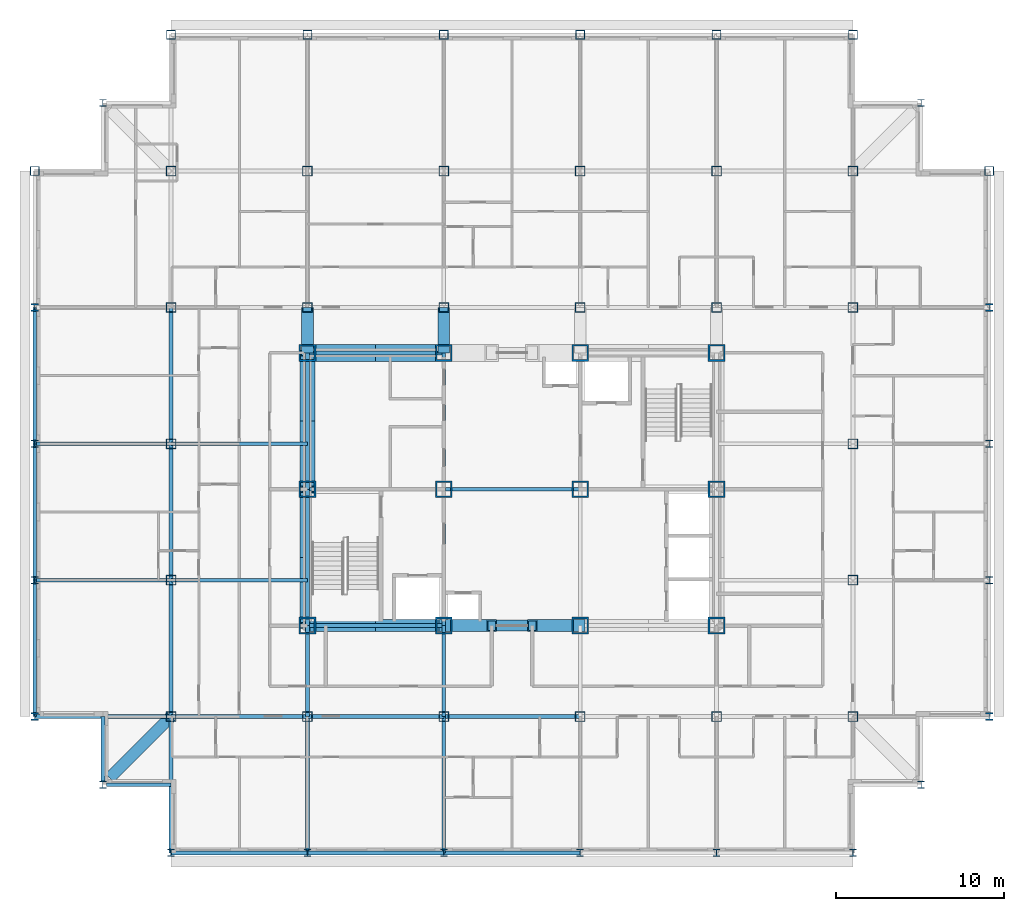
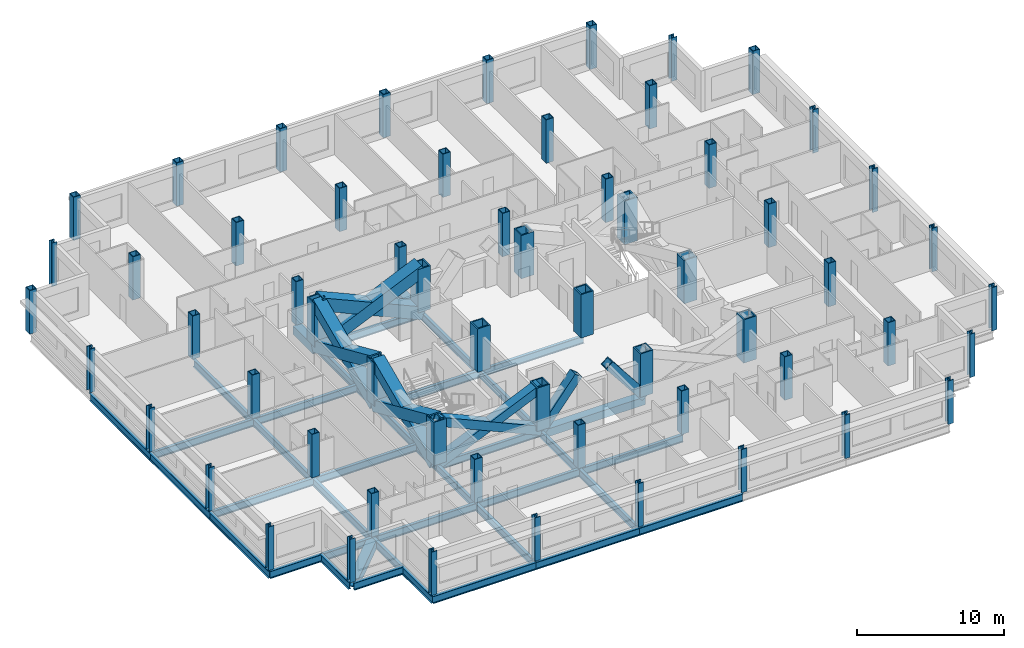
# One storey, part 1 of 12: 60 columns, 36 beams, 10 members.
"""IFC4 building model written with IfcOpenShell, lengths in metres."""

from ifc_helpers import new_model, si_unit, direction, frame, origin, origin_2d, place, context, subcontext, project, spatial, hollow_rectangle, i_section, extrude, material, material_profile, profile_set, type_object, element, save


model = new_model("IFC4")

# Units and contexts
model_context = context("Model", 3, precision=1e-05, world=origin(), true_north=direction((0.0, 1.0)))
body_context = subcontext(model_context, "Body", "Model", "MODEL_VIEW")
ifc_project = project(units=[si_unit("LENGTHUNIT", "METRE"), si_unit("AREAUNIT", "SQUARE_METRE"), si_unit("VOLUMEUNIT", "CUBIC_METRE"), si_unit("PLANEANGLEUNIT", "RADIAN"), si_unit("MASSUNIT", "GRAM", prefix="KILO")], contexts=[model_context])

# Site, building, storey
site_placement = place(None, origin())
site = spatial("IfcSite", under=ifc_project, at=site_placement, CompositionType="ELEMENT")
building_placement = place(site_placement, origin())
building = spatial("IfcBuilding", under=site, at=building_placement, Name="Kopane Lantern Tower", CompositionType="ELEMENT")
storey_placement = place(building_placement, frame((0.0, 0.0, 220.800048828125)))
storey = spatial("IfcBuildingStorey", under=building, at=storey_placement, Name="L57", CompositionType="ELEMENT", Elevation=220.800048828125)

# Columns
ifc_material_1 = material(Name="Steel S355JR", Category="steel")
ifc_material_profile_1 = material_profile(ifc_material_1, hollow_rectangle(XDim=1.0, YDim=1.0, WallThickness=0.10009765625, at=origin_2d()), Name="BOX 1000x1000x100")
ifc_profile_set_1 = profile_set([ifc_material_profile_1], Name="Steel S355JR")
column_type_1 = type_object("IfcColumnType", Name="COLUMN BOX 1000x1000x100", PredefinedType="COLUMN", material=ifc_profile_set_1)
for number, where, z_axis, x_axis, name in (
    (1, (16.199951171875, 24.300048828125, 0.0), (0.0, 0.0, 1.0), (1.0, 0.0, 0.0), "Column 4/E L57"),
    (2, (16.199951171875, 32.39990234375, 0.0), (0.0, 0.0, 1.0), (1.0, 0.0, 0.0), "Column 4/F L57"),
    (3, (16.199951171875, 40.5, 0.0), (0.0, 0.0, 1.0), (1.0, 0.0, 0.0), "Column 4/G L57"),
    (4, (24.300048828125, 24.300048828125, 0.0), (0.0, 0.0, 1.0), (1.0, 0.0, 0.0), "Column 5/E L57"),
    (5, (24.300048828125, 32.39990234375, 0.0), (0.0, 0.0, 1.0), (1.0, 0.0, 0.0), "Column 5/F L57"),
    (6, (24.300048828125, 40.5, 0.0), (0.0, 0.0, 1.0), (1.0, 0.0, 0.0), "Column 5/G L57"),
    (7, (32.39990234375, 24.300048828125, 0.0), (0.0, 0.0, 1.0), (1.0, 0.0, 0.0), "Column 6/E L57"),
    (8, (32.39990234375, 32.39990234375, 0.0), (0.0, 0.0, 1.0), (1.0, 0.0, 0.0), "Column 6/F L57"),
    (9, (32.39990234375, 40.5, 0.0), (0.0, 0.0, 1.0), (1.0, 0.0, 0.0), "Column 6/G L57"),
    (10, (40.5, 24.300048828125, 0.0), (0.0, 0.0, 1.0), (1.0, 0.0, 0.0), "Column 7/E L57"),
    (11, (40.5, 32.39990234375, 0.0), (0.0, 0.0, 1.0), (1.0, 0.0, 0.0), "Column 7/F L57"),
    (12, (40.5, 40.5, 0.0), (0.0, 0.0, 1.0), (1.0, 0.0, 0.0), "Column 7/G L57"),
):
    element("IfcColumn", number, at=place(storey_placement, frame(where, z_axis=z_axis, x_axis=x_axis)), inside=storey, type_object=column_type_1, Name=name, PredefinedType="COLUMN", context=body_context, shape_type="SweptSolid", body=[
        extrude(hollow_rectangle(XDim=1.0, YDim=1.0, WallThickness=0.10009765625, at=origin_2d()), origin(), (0.0, 0.0, 1.0), 3.599853515625),
    ])
ifc_material_2 = material(Name="Steel S355JR", Category="steel")
ifc_material_profile_2 = material_profile(ifc_material_2, hollow_rectangle(XDim=0.550048828125, YDim=0.550048828125, WallThickness=0.044921875, at=origin_2d()), Name="BOX 550x550x45")
ifc_profile_set_2 = profile_set([ifc_material_profile_2], Name="Steel S355JR")
column_type_2 = type_object("IfcColumnType", Name="COLUMN BOX 550x550x45", PredefinedType="COLUMN", material=ifc_profile_set_2)
for number, where, z_axis, x_axis, name in (
    (13, (0.0, 51.300048828125, 0.0), (0.0, 0.0, 1.0), (1.0, 0.0, 0.0), "Column 2/Q6 L57"),
    (14, (8.10009765625, 59.39990234375, 0.0), (0.0, 0.0, 1.0), (1.0, 0.0, 0.0), "Column 3/Q7 L57"),
    (15, (16.199951171875, 59.39990234375, 0.0), (0.0, 0.0, 1.0), (1.0, 0.0, 0.0), "Column 4/Q7 L57"),
    (16, (24.300048828125, 59.39990234375, 0.0), (0.0, 0.0, 1.0), (1.0, 0.0, 0.0), "Column 5/Q7 L57"),
    (17, (32.39990234375, 59.39990234375, 0.0), (0.0, 0.0, 1.0), (1.0, 0.0, 0.0), "Column 6/Q7 L57"),
    (18, (40.5, 59.39990234375, 0.0), (0.0, 0.0, 1.0), (1.0, 0.0, 0.0), "Column 7/Q7 L57"),
    (19, (48.60009765625, 59.39990234375, 0.0), (0.0, 0.0, 1.0), (1.0, 0.0, 0.0), "Column 8/Q7 L57"),
    (20, (56.699951171875, 51.300048828125, 0.0), (0.0, 0.0, 1.0), (1.0, 0.0, 0.0), "Column 9/Q6 L57"),
):
    element("IfcColumn", number, at=place(storey_placement, frame(where, z_axis=z_axis, x_axis=x_axis)), inside=storey, type_object=column_type_2, Name=name, PredefinedType="COLUMN", context=body_context, shape_type="SweptSolid", body=[
        extrude(hollow_rectangle(XDim=0.550048828125, YDim=0.550048828125, WallThickness=0.044921875, at=origin_2d()), origin(), (0.0, 0.0, 1.0), 3.599853515625),
    ])
ifc_material_3 = material(Name="Steel S355JR", Category="steel")
ifc_material_profile_3 = material_profile(ifc_material_3, hollow_rectangle(XDim=0.60009765625, YDim=0.60009765625, WallThickness=0.050048828125, at=origin_2d()), Name="BOX 600x600x50")
ifc_profile_set_3 = profile_set([ifc_material_profile_3], Name="Steel S355JR")
column_type_3 = type_object("IfcColumnType", Name="COLUMN BOX 600x600x50", PredefinedType="COLUMN", material=ifc_profile_set_3)
for number, where, z_axis, x_axis, name in (
    (21, (8.10009765625, 18.89990234375, 0.0), (0.0, 0.0, 1.0), (1.0, 0.0, 0.0), "Column 3/Q2 L57"),
    (22, (8.10009765625, 27.0, 0.0), (0.0, 0.0, 1.0), (1.0, 0.0, 0.0), "Column 3/Q3 L57"),
    (23, (8.10009765625, 35.10009765625, 0.0), (0.0, 0.0, 1.0), (1.0, 0.0, 0.0), "Column 3/Q4 L57"),
    (24, (8.10009765625, 43.199951171875, 0.0), (0.0, 0.0, 1.0), (1.0, 0.0, 0.0), "Column 3/Q5 L57"),
    (25, (8.10009765625, 51.300048828125, 0.0), (0.0, 0.0, 1.0), (1.0, 0.0, 0.0), "Column 3/Q6 L57"),
    (26, (16.199951171875, 18.89990234375, 0.0), (0.0, 0.0, 1.0), (1.0, 0.0, 0.0), "Column 4/Q2 L57"),
    (27, (16.199951171875, 43.199951171875, 0.0), (0.0, 0.0, 1.0), (1.0, 0.0, 0.0), "Column 4/Q5 L57"),
    (28, (16.199951171875, 51.300048828125, 0.0), (0.0, 0.0, 1.0), (1.0, 0.0, 0.0), "Column 4/Q6 L57"),
    (29, (24.300048828125, 18.89990234375, 0.0), (0.0, 0.0, 1.0), (1.0, 0.0, 0.0), "Column 5/Q2 L57"),
    (30, (24.300048828125, 43.199951171875, 0.0), (0.0, 0.0, 1.0), (1.0, 0.0, 0.0), "Column 5/Q5 L57"),
    (31, (24.300048828125, 51.300048828125, 0.0), (0.0, 0.0, 1.0), (1.0, 0.0, 0.0), "Column 5/Q6 L57"),
    (32, (32.39990234375, 18.89990234375, 0.0), (0.0, 0.0, 1.0), (1.0, 0.0, 0.0), "Column 6/Q2 L57"),
    (33, (32.39990234375, 43.199951171875, 0.0), (0.0, 0.0, 1.0), (1.0, 0.0, 0.0), "Column 6/Q5 L57"),
    (34, (32.39990234375, 51.300048828125, 0.0), (0.0, 0.0, 1.0), (1.0, 0.0, 0.0), "Column 6/Q6 L57"),
    (35, (40.5, 18.89990234375, 0.0), (0.0, 0.0, 1.0), (1.0, 0.0, 0.0), "Column 7/Q2 L57"),
    (36, (40.5, 43.199951171875, 0.0), (0.0, 0.0, 1.0), (1.0, 0.0, 0.0), "Column 7/Q5 L57"),
    (37, (40.5, 51.300048828125, 0.0), (0.0, 0.0, 1.0), (1.0, 0.0, 0.0), "Column 7/Q6 L57"),
    (38, (48.60009765625, 18.89990234375, 0.0), (0.0, 0.0, 1.0), (1.0, 0.0, 0.0), "Column 8/Q2 L57"),
    (39, (48.60009765625, 27.0, 0.0), (0.0, 0.0, 1.0), (1.0, 0.0, 0.0), "Column 8/Q3 L57"),
    (40, (48.60009765625, 35.10009765625, 0.0), (0.0, 0.0, 1.0), (1.0, 0.0, 0.0), "Column 8/Q4 L57"),
    (41, (48.60009765625, 43.199951171875, 0.0), (0.0, 0.0, 1.0), (1.0, 0.0, 0.0), "Column 8/Q5 L57"),
    (42, (48.60009765625, 51.300048828125, 0.0), (0.0, 0.0, 1.0), (1.0, 0.0, 0.0), "Column 8/Q6 L57"),
):
    element("IfcColumn", number, at=place(storey_placement, frame(where, z_axis=z_axis, x_axis=x_axis)), inside=storey, type_object=column_type_3, Name=name, PredefinedType="COLUMN", context=body_context, shape_type="SweptSolid", body=[
        extrude(hollow_rectangle(XDim=0.60009765625, YDim=0.60009765625, WallThickness=0.050048828125, at=origin_2d()), origin(), (0.0, 0.0, 1.0), 3.599853515625),
    ])
ifc_material_4 = material(Name="Steel S355JR", Category="steel")
ifc_material_profile_4 = material_profile(ifc_material_4, i_section(OverallWidth=0.406982421875, OverallDepth=0.4189453125, WebThickness=0.030517578125, FlangeThickness=0.04931640625, FilletRadius=0.01513671875, at=origin_2d()), Name="UC 356x406x393")
ifc_profile_set_4 = profile_set([ifc_material_profile_4], Name="Steel S355JR")
column_type_4 = type_object("IfcColumnType", Name="COLUMN UC 356x406x393", PredefinedType="COLUMN", material=ifc_profile_set_4)
for number, where, z_axis, x_axis, name in (
    (43, (4.050048828125, 14.85009765625, 0.0), (0.0, 0.0, 1.0), (1.0, 0.0, 0.0), "Column 4.05/14.85 L57"),
    (44, (4.050048828125, 55.35009765625, 0.0), (0.0, 0.0, 1.0), (1.0, 0.0, 0.0), "Column 4.05/55.35 L57"),
    (45, (52.64990234375, 14.85009765625, 0.0), (0.0, 0.0, 1.0), (1.0, 0.0, 0.0), "Column 52.65/14.85 L57"),
    (46, (52.64990234375, 55.35009765625, 0.0), (0.0, 0.0, 1.0), (1.0, 0.0, 0.0), "Column 52.65/55.35 L57"),
):
    element("IfcColumn", number, at=place(storey_placement, frame(where, z_axis=z_axis, x_axis=x_axis)), inside=storey, type_object=column_type_4, Name=name, PredefinedType="COLUMN", context=body_context, shape_type="SweptSolid", body=[
        extrude(i_section(OverallWidth=0.406982421875, OverallDepth=0.4189453125, WebThickness=0.030517578125, FlangeThickness=0.04931640625, FilletRadius=0.01513671875, at=origin_2d()), origin(), (0.0, 0.0, 1.0), 3.599853515625),
    ])
ifc_material_5 = material(Name="Steel S355JR", Category="steel")
ifc_material_profile_5 = material_profile(ifc_material_5, i_section(OverallWidth=0.41845703125, OverallDepth=0.45556640625, WebThickness=0.0419921875, FlangeThickness=0.0673828125, FilletRadius=0.01513671875, at=origin_2d()), Name="UC 356x406x551")
ifc_profile_set_5 = profile_set([ifc_material_profile_5], Name="Steel S355JR")
column_type_5 = type_object("IfcColumnType", Name="COLUMN UC 356x406x551", PredefinedType="COLUMN", material=ifc_profile_set_5)
for number, where, z_axis, x_axis, name in (
    (47, (0.0, 18.89990234375, 0.0), (0.0, 0.0, 1.0), (1.0, 0.0, 0.0), "Column 2/Q2 L57"),
    (48, (0.0, 27.0, 0.0), (0.0, 0.0, 1.0), (1.0, 0.0, 0.0), "Column 2/Q3 L57"),
    (49, (0.0, 35.10009765625, 0.0), (0.0, 0.0, 1.0), (1.0, 0.0, 0.0), "Column 2/Q4 L57"),
    (50, (0.0, 43.199951171875, 0.0), (0.0, 0.0, 1.0), (1.0, 0.0, 0.0), "Column 2/Q5 L57"),
    (51, (8.10009765625, 10.800048828125, 0.0), (0.0, 0.0, 1.0), (1.0, 0.0, 0.0), "Column 3/Q1 L57"),
    (52, (16.199951171875, 10.800048828125, 0.0), (0.0, 0.0, 1.0), (1.0, 0.0, 0.0), "Column 4/Q1 L57"),
    (53, (24.300048828125, 10.800048828125, 0.0), (0.0, 0.0, 1.0), (1.0, 0.0, 0.0), "Column 5/Q1 L57"),
    (54, (32.39990234375, 10.800048828125, 0.0), (0.0, 0.0, 1.0), (1.0, 0.0, 0.0), "Column 6/Q1 L57"),
    (55, (40.5, 10.800048828125, 0.0), (0.0, 0.0, 1.0), (1.0, 0.0, 0.0), "Column 7/Q1 L57"),
    (56, (48.60009765625, 10.800048828125, 0.0), (0.0, 0.0, 1.0), (1.0, 0.0, 0.0), "Column 8/Q1 L57"),
    (57, (56.699951171875, 18.89990234375, 0.0), (0.0, 0.0, 1.0), (1.0, 0.0, 0.0), "Column 9/Q2 L57"),
    (58, (56.699951171875, 27.0, 0.0), (0.0, 0.0, 1.0), (1.0, 0.0, 0.0), "Column 9/Q3 L57"),
    (59, (56.699951171875, 35.10009765625, 0.0), (0.0, 0.0, 1.0), (1.0, 0.0, 0.0), "Column 9/Q4 L57"),
    (60, (56.699951171875, 43.199951171875, 0.0), (0.0, 0.0, 1.0), (1.0, 0.0, 0.0), "Column 9/Q5 L57"),
):
    element("IfcColumn", number, at=place(storey_placement, frame(where, z_axis=z_axis, x_axis=x_axis)), inside=storey, type_object=column_type_5, Name=name, PredefinedType="COLUMN", context=body_context, shape_type="SweptSolid", body=[
        extrude(i_section(OverallWidth=0.41845703125, OverallDepth=0.45556640625, WebThickness=0.0419921875, FlangeThickness=0.0673828125, FilletRadius=0.01513671875, at=origin_2d()), origin(), (0.0, 0.0, 1.0), 3.599853515625),
    ])

# Members
ifc_material_6 = material(Name="Steel S355JR", Category="steel")
ifc_material_profile_6 = material_profile(ifc_material_6, hollow_rectangle(XDim=1.0, YDim=1.0, WallThickness=0.10009765625, at=origin_2d()), Name="BOX 1000x1000x100")
ifc_profile_set_6 = profile_set([ifc_material_profile_6], Name="Steel S355JR")
member_type_1 = type_object("IfcMemberType", Name="BRACE BOX 1000x1000x100", PredefinedType="BRACE", material=ifc_profile_set_6)
for number, where, z_axis, x_axis, name in (
    (61, (16.199951171875, 40.5, -0.2099609375), (0.913819498983, 0.0, 0.406120577265), (0.0, 1.0, 0.0), "Core brace L57"),
    (62, (24.300048828125, 40.5, -0.2099609375), (-0.913819498983, 0.0, 0.406120577265), (0.0, -1.0, 0.0), "Core brace L57"),
):
    element("IfcMember", number, at=place(storey_placement, frame(where, z_axis=z_axis, x_axis=x_axis)), inside=storey, type_object=member_type_1, Name=name, PredefinedType="BRACE", context=body_context, shape_type="SweptSolid", body=[
        extrude(hollow_rectangle(XDim=1.0, YDim=1.0, WallThickness=0.10009765625, at=origin_2d()), origin(), (0.0, 0.0, 1.0), 8.864013671875),
    ])
ifc_material_7 = material(Name="Steel S355JR", Category="steel")
ifc_material_profile_7 = material_profile(ifc_material_7, hollow_rectangle(XDim=0.699951171875, YDim=0.699951171875, WallThickness=0.06005859375, at=origin_2d()), Name="BOX 700x700x60")
ifc_profile_set_7 = profile_set([ifc_material_profile_7], Name="Steel S355JR")
member_type_2 = type_object("IfcMemberType", Name="BRACE BOX 700x700x60", PredefinedType="BRACE", material=ifc_profile_set_7)
for number, where, z_axis, x_axis, name in (
    (63, (16.199951171875, 24.300048828125, -0.2099609375), (0.913819498983, 0.0, 0.406120577265), (0.0, 1.0, 0.0), "Core brace L57"),
    (64, (24.300048828125, 24.300048828125, -0.2099609375), (-0.913819498983, 0.0, 0.406120577265), (0.0, -1.0, 0.0), "Core brace L57"),
):
    element("IfcMember", number, at=place(storey_placement, frame(where, z_axis=z_axis, x_axis=x_axis)), inside=storey, type_object=member_type_2, Name=name, PredefinedType="BRACE", context=body_context, shape_type="SweptSolid", body=[
        extrude(hollow_rectangle(XDim=0.699951171875, YDim=0.699951171875, WallThickness=0.06005859375, at=origin_2d()), origin(), (0.0, 0.0, 1.0), 8.864013671875),
    ])
for number, where, z_axis, x_axis, name in (
    (65, (24.300048828125, 24.300048828125, -0.2099609375), (0.620698858423, 0.0, 0.784049059149), (0.0, 1.0, 0.0), "Core brace L57"),
    (66, (32.39990234375, 24.300048828125, -0.2099609375), (-0.620698858423, 0.0, 0.784049059149), (0.0, -1.0, 0.0), "Core brace L57"),
):
    element("IfcMember", number, at=place(storey_placement, frame(where, z_axis=z_axis, x_axis=x_axis)), inside=storey, type_object=member_type_2, Name=name, PredefinedType="BRACE", context=body_context, shape_type="SweptSolid", body=[
        extrude(hollow_rectangle(XDim=0.699951171875, YDim=0.699951171875, WallThickness=0.06005859375, at=origin_2d()), origin(), (0.0, 0.0, 1.0), 4.59130859375),
    ])
ifc_material_8 = material(Name="Steel S355JR", Category="steel")
ifc_material_profile_8 = material_profile(ifc_material_8, hollow_rectangle(XDim=0.89990234375, YDim=0.89990234375, WallThickness=0.090087890625, at=origin_2d()), Name="BOX 900x900x90")
ifc_profile_set_8 = profile_set([ifc_material_profile_8], Name="Steel S355JR")
member_type_3 = type_object("IfcMemberType", Name="BRACE BOX 900x900x90", PredefinedType="BRACE", material=ifc_profile_set_8)
for number, where, z_axis, x_axis, name in (
    (67, (16.199951171875, 24.300048828125, -0.2099609375), (0.0, 0.913814956047, 0.406130799256), (-1.0, 0.0, 0.0), "Core brace L57"),
    (68, (16.199951171875, 32.39990234375, -0.2099609375), (0.0, -0.913814956047, 0.406130799256), (1.0, 0.0, 0.0), "Core brace L57"),
):
    element("IfcMember", number, at=place(storey_placement, frame(where, z_axis=z_axis, x_axis=x_axis)), inside=storey, type_object=member_type_3, Name=name, PredefinedType="BRACE", context=body_context, shape_type="SweptSolid", body=[
        extrude(hollow_rectangle(XDim=0.89990234375, YDim=0.89990234375, WallThickness=0.090087890625, at=origin_2d()), origin(), (0.0, 0.0, 1.0), 8.86376953125),
    ])
for number, where, z_axis, x_axis, name in (
    (69, (16.199951171875, 32.39990234375, -0.2099609375), (0.0, 0.913819498983, 0.406120577265), (-1.0, 0.0, 0.0), "Core brace L57"),
    (70, (16.199951171875, 40.5, -0.2099609375), (0.0, -0.913819498983, 0.406120577265), (1.0, 0.0, 0.0), "Core brace L57"),
):
    element("IfcMember", number, at=place(storey_placement, frame(where, z_axis=z_axis, x_axis=x_axis)), inside=storey, type_object=member_type_3, Name=name, PredefinedType="BRACE", context=body_context, shape_type="SweptSolid", body=[
        extrude(hollow_rectangle(XDim=0.89990234375, YDim=0.89990234375, WallThickness=0.090087890625, at=origin_2d()), origin(), (0.0, 0.0, 1.0), 8.864013671875),
    ])

# Beams
ifc_material_9 = material(Name="Steel S355JR", Category="steel")
ifc_material_profile_9 = material_profile(ifc_material_9, i_section(OverallWidth=0.22900390625, OverallDepth=0.6123046875, WebThickness=0.011962890625, FlangeThickness=0.01953125, FilletRadius=0.0126953125, at=origin_2d()), Name="UB 610x229x125")
ifc_profile_set_9 = profile_set([ifc_material_profile_9], Name="Steel S355JR")
beam_type_1 = type_object("IfcBeamType", Name="CORE BEAM UB 610x229x125", PredefinedType="BEAM", material=ifc_profile_set_9)
beam_1_placement = place(storey_placement, frame((16.199951171875, 32.39990234375, -0.51611328125), z_axis=(1.0, 0.0, 0.0), x_axis=(0.0, 1.0, 0.0)))
element("IfcBeam", 71, at=beam_1_placement, inside=storey, type_object=beam_type_1, Name="Core Beam L57", PredefinedType="BEAM", context=body_context, shape_type="SweptSolid", body=[
    extrude(i_section(OverallWidth=0.22900390625, OverallDepth=0.6123046875, WebThickness=0.011962890625, FlangeThickness=0.01953125, FilletRadius=0.0126953125, at=origin_2d()), origin(), (0.0, 0.0, 1.0), 8.10009765625),
])
beam_2_placement = place(storey_placement, frame((24.300048828125, 24.300048828125, -0.51611328125), z_axis=(0.0, 1.0, 0.0), x_axis=(-1.0, 0.0, 0.0)))
element("IfcBeam", 72, at=beam_2_placement, inside=storey, type_object=beam_type_1, Name="Core Beam L57", PredefinedType="BEAM", context=body_context, shape_type="SweptSolid", body=[
    extrude(i_section(OverallWidth=0.22900390625, OverallDepth=0.6123046875, WebThickness=0.011962890625, FlangeThickness=0.01953125, FilletRadius=0.0126953125, at=origin_2d()), origin(), (0.0, 0.0, 1.0), 8.099853515625),
])
beam_3_placement = place(storey_placement, frame((24.300048828125, 32.39990234375, -0.51611328125), z_axis=(0.0, 1.0, 0.0), x_axis=(-1.0, 0.0, 0.0)))
element("IfcBeam", 73, at=beam_3_placement, inside=storey, type_object=beam_type_1, Name="Core Beam L57", PredefinedType="BEAM", context=body_context, shape_type="SweptSolid", body=[
    extrude(i_section(OverallWidth=0.22900390625, OverallDepth=0.6123046875, WebThickness=0.011962890625, FlangeThickness=0.01953125, FilletRadius=0.0126953125, at=origin_2d()), origin(), (0.0, 0.0, 1.0), 8.10009765625),
])
beam_4_placement = place(storey_placement, frame((24.300048828125, 32.39990234375, -0.51611328125), z_axis=(1.0, 0.0, 0.0), x_axis=(0.0, 1.0, 0.0)))
element("IfcBeam", 74, at=beam_4_placement, inside=storey, type_object=beam_type_1, Name="Core Beam L57", PredefinedType="BEAM", context=body_context, shape_type="SweptSolid", body=[
    extrude(i_section(OverallWidth=0.22900390625, OverallDepth=0.6123046875, WebThickness=0.011962890625, FlangeThickness=0.01953125, FilletRadius=0.0126953125, at=origin_2d()), origin(), (0.0, 0.0, 1.0), 8.099853515625),
])
ifc_material_10 = material(Name="Steel S355JR", Category="steel")
ifc_material_profile_10 = material_profile(ifc_material_10, hollow_rectangle(XDim=0.699951171875, YDim=0.699951171875, WallThickness=0.06005859375, at=origin_2d()), Name="BOX 700x700x60")
ifc_profile_set_10 = profile_set([ifc_material_profile_10], Name="Steel S355JR")
beam_type_2 = type_object("IfcBeamType", Name="CORNER TIE BEAM BOX 700x700x60", PredefinedType="BEAM", material=ifc_profile_set_10)
beam_5_placement = place(storey_placement, frame((4.447509765625, 15.24755859375, -0.56005859375), z_axis=(0.70713041325, 0.707083148333, 0.0), x_axis=(-0.707083148333, 0.70713041325, 0.0)))
element("IfcBeam", 75, at=beam_5_placement, inside=storey, type_object=beam_type_2, Name="Corner Tie Beam L57", PredefinedType="BEAM", context=body_context, shape_type="SweptSolid", body=[
    extrude(hollow_rectangle(XDim=0.699951171875, YDim=0.699951171875, WallThickness=0.06005859375, at=origin_2d()), origin(), (0.0, 0.0, 1.0), 5.165283203125),
])
ifc_material_11 = material(Name="Steel S355JR", Category="steel")
ifc_material_profile_11 = material_profile(ifc_material_11, i_section(OverallWidth=0.22900390625, OverallDepth=0.6123046875, WebThickness=0.011962890625, FlangeThickness=0.01953125, FilletRadius=0.0126953125, at=origin_2d()), Name="UB 610x229x125")
ifc_profile_set_11 = profile_set([ifc_material_profile_11], Name="Steel S355JR")
beam_type_3 = type_object("IfcBeamType", Name="EDGE BEAM UB 610x229x125", PredefinedType="BEAM", material=ifc_profile_set_11)
beam_6_placement = place(storey_placement, frame((4.050048828125, 15.053466796875, -0.51611328125), z_axis=(0.0, 1.0, 0.0), x_axis=(-1.0, 0.0, 0.0)))
element("IfcBeam", 76, at=beam_6_placement, inside=storey, type_object=beam_type_3, Name="Edge Beam L57", PredefinedType="BEAM", context=body_context, shape_type="SweptSolid", body=[
    extrude(i_section(OverallWidth=0.22900390625, OverallDepth=0.6123046875, WebThickness=0.011962890625, FlangeThickness=0.01953125, FilletRadius=0.0126953125, at=origin_2d()), origin(), (0.0, 0.0, 1.0), 3.846435546875),
])
beam_7_placement = place(storey_placement, frame((4.25341796875, 14.85009765625, -0.51611328125), z_axis=(1.0, 0.0, 0.0), x_axis=(0.0, 1.0, 0.0)))
element("IfcBeam", 77, at=beam_7_placement, inside=storey, type_object=beam_type_3, Name="Edge Beam L57", PredefinedType="BEAM", context=body_context, shape_type="SweptSolid", body=[
    extrude(i_section(OverallWidth=0.22900390625, OverallDepth=0.6123046875, WebThickness=0.011962890625, FlangeThickness=0.01953125, FilletRadius=0.0126953125, at=origin_2d()), origin(), (0.0, 0.0, 1.0), 3.8466796875),
])
ifc_material_12 = material(Name="Steel S355JR", Category="steel")
ifc_material_profile_12 = material_profile(ifc_material_12, hollow_rectangle(XDim=0.699951171875, YDim=0.699951171875, WallThickness=0.06005859375, at=origin_2d()), Name="BOX 700x700x60")
ifc_profile_set_12 = profile_set([ifc_material_profile_12], Name="Steel S355JR")
beam_type_4 = type_object("IfcBeamType", Name="GIRDER BOX 700x700x60", PredefinedType="BEAM", material=ifc_profile_set_12)
for number, where, z_axis, x_axis, name in (
    (78, (16.199951171875, 40.5, -0.56005859375), (0.0, 1.0, 0.0), (-1.0, 0.0, 0.0), "Girder L57"),
    (79, (24.300048828125, 40.5, -0.56005859375), (0.0, 1.0, 0.0), (-1.0, 0.0, 0.0), "Girder L57"),
):
    element("IfcBeam", number, at=place(storey_placement, frame(where, z_axis=z_axis, x_axis=x_axis)), inside=storey, type_object=beam_type_4, Name=name, PredefinedType="BEAM", context=body_context, shape_type="SweptSolid", body=[
        extrude(hollow_rectangle(XDim=0.699951171875, YDim=0.699951171875, WallThickness=0.06005859375, at=origin_2d()), origin(), (0.0, 0.0, 1.0), 2.699951171875),
    ])
ifc_material_13 = material(Name="Steel S355JR", Category="steel")
ifc_material_profile_13 = material_profile(ifc_material_13, i_section(OverallWidth=0.22900390625, OverallDepth=0.6123046875, WebThickness=0.011962890625, FlangeThickness=0.01953125, FilletRadius=0.0126953125, at=origin_2d()), Name="UB 610x229x125")
ifc_profile_set_13 = profile_set([ifc_material_profile_13], Name="Steel S355JR")
beam_type_5 = type_object("IfcBeamType", Name="GIRDER UB 610x229x125", PredefinedType="BEAM", material=ifc_profile_set_13)
for number, where, z_axis, x_axis, name in (
    (80, (0.0, 18.89990234375, -0.51611328125), (0.0, 1.0, 0.0), (-1.0, 0.0, 0.0), "Girder L57"),
    (81, (0.0, 18.89990234375, -0.51611328125), (1.0, 0.0, 0.0), (0.0, 1.0, 0.0), "Girder L57"),
    (82, (0.0, 27.0, -0.51611328125), (0.0, 1.0, 0.0), (-1.0, 0.0, 0.0), "Girder L57"),
    (83, (0.0, 27.0, -0.51611328125), (1.0, 0.0, 0.0), (0.0, 1.0, 0.0), "Girder L57"),
):
    element("IfcBeam", number, at=place(storey_placement, frame(where, z_axis=z_axis, x_axis=x_axis)), inside=storey, type_object=beam_type_5, Name=name, PredefinedType="BEAM", context=body_context, shape_type="SweptSolid", body=[
        extrude(i_section(OverallWidth=0.22900390625, OverallDepth=0.6123046875, WebThickness=0.011962890625, FlangeThickness=0.01953125, FilletRadius=0.0126953125, at=origin_2d()), origin(), (0.0, 0.0, 1.0), 8.10009765625),
    ])
beam_8_placement = place(storey_placement, frame((0.0, 35.10009765625, -0.51611328125), z_axis=(0.0, 1.0, 0.0), x_axis=(-1.0, 0.0, 0.0)))
element("IfcBeam", 84, at=beam_8_placement, inside=storey, type_object=beam_type_5, Name="Girder L57", PredefinedType="BEAM", context=body_context, shape_type="SweptSolid", body=[
    extrude(i_section(OverallWidth=0.22900390625, OverallDepth=0.6123046875, WebThickness=0.011962890625, FlangeThickness=0.01953125, FilletRadius=0.0126953125, at=origin_2d()), origin(), (0.0, 0.0, 1.0), 8.099853515625),
])
beam_9_placement = place(storey_placement, frame((0.0, 35.10009765625, -0.51611328125), z_axis=(1.0, 0.0, 0.0), x_axis=(0.0, 1.0, 0.0)))
element("IfcBeam", 85, at=beam_9_placement, inside=storey, type_object=beam_type_5, Name="Girder L57", PredefinedType="BEAM", context=body_context, shape_type="SweptSolid", body=[
    extrude(i_section(OverallWidth=0.22900390625, OverallDepth=0.6123046875, WebThickness=0.011962890625, FlangeThickness=0.01953125, FilletRadius=0.0126953125, at=origin_2d()), origin(), (0.0, 0.0, 1.0), 8.10009765625),
])
for number, where, z_axis, x_axis, name in (
    (86, (8.10009765625, 10.800048828125, -0.51611328125), (0.0, 1.0, 0.0), (-1.0, 0.0, 0.0), "Girder L57"),
    (87, (8.10009765625, 10.800048828125, -0.51611328125), (1.0, 0.0, 0.0), (0.0, 1.0, 0.0), "Girder L57"),
):
    element("IfcBeam", number, at=place(storey_placement, frame(where, z_axis=z_axis, x_axis=x_axis)), inside=storey, type_object=beam_type_5, Name=name, PredefinedType="BEAM", context=body_context, shape_type="SweptSolid", body=[
        extrude(i_section(OverallWidth=0.22900390625, OverallDepth=0.6123046875, WebThickness=0.011962890625, FlangeThickness=0.01953125, FilletRadius=0.0126953125, at=origin_2d()), origin(), (0.0, 0.0, 1.0), 8.099853515625),
    ])
beam_10_placement = place(storey_placement, frame((8.10009765625, 18.89990234375, -0.51611328125), z_axis=(0.0, 1.0, 0.0), x_axis=(-1.0, 0.0, 0.0)))
element("IfcBeam", 88, at=beam_10_placement, inside=storey, type_object=beam_type_5, Name="Girder L57", PredefinedType="BEAM", context=body_context, shape_type="SweptSolid", body=[
    extrude(i_section(OverallWidth=0.22900390625, OverallDepth=0.6123046875, WebThickness=0.011962890625, FlangeThickness=0.01953125, FilletRadius=0.0126953125, at=origin_2d()), origin(), (0.0, 0.0, 1.0), 8.10009765625),
])
beam_11_placement = place(storey_placement, frame((8.10009765625, 18.89990234375, -0.51611328125), z_axis=(1.0, 0.0, 0.0), x_axis=(0.0, 1.0, 0.0)))
element("IfcBeam", 89, at=beam_11_placement, inside=storey, type_object=beam_type_5, Name="Girder L57", PredefinedType="BEAM", context=body_context, shape_type="SweptSolid", body=[
    extrude(i_section(OverallWidth=0.22900390625, OverallDepth=0.6123046875, WebThickness=0.011962890625, FlangeThickness=0.01953125, FilletRadius=0.0126953125, at=origin_2d()), origin(), (0.0, 0.0, 1.0), 8.099853515625),
])
beam_12_placement = place(storey_placement, frame((8.10009765625, 27.0, -0.51611328125), z_axis=(0.0, 1.0, 0.0), x_axis=(-1.0, 0.0, 0.0)))
element("IfcBeam", 90, at=beam_12_placement, inside=storey, type_object=beam_type_5, Name="Girder L57", PredefinedType="BEAM", context=body_context, shape_type="SweptSolid", body=[
    extrude(i_section(OverallWidth=0.22900390625, OverallDepth=0.6123046875, WebThickness=0.011962890625, FlangeThickness=0.01953125, FilletRadius=0.0126953125, at=origin_2d()), origin(), (0.0, 0.0, 1.0), 8.10009765625),
])
for number, where, z_axis, x_axis, name in (
    (91, (8.10009765625, 27.0, -0.51611328125), (1.0, 0.0, 0.0), (0.0, 1.0, 0.0), "Girder L57"),
    (92, (8.10009765625, 35.10009765625, -0.51611328125), (0.0, 1.0, 0.0), (-1.0, 0.0, 0.0), "Girder L57"),
    (93, (8.10009765625, 35.10009765625, -0.51611328125), (1.0, 0.0, 0.0), (0.0, 1.0, 0.0), "Girder L57"),
    (94, (16.199951171875, 10.800048828125, -0.51611328125), (0.0, 1.0, 0.0), (-1.0, 0.0, 0.0), "Girder L57"),
):
    element("IfcBeam", number, at=place(storey_placement, frame(where, z_axis=z_axis, x_axis=x_axis)), inside=storey, type_object=beam_type_5, Name=name, PredefinedType="BEAM", context=body_context, shape_type="SweptSolid", body=[
        extrude(i_section(OverallWidth=0.22900390625, OverallDepth=0.6123046875, WebThickness=0.011962890625, FlangeThickness=0.01953125, FilletRadius=0.0126953125, at=origin_2d()), origin(), (0.0, 0.0, 1.0), 8.099853515625),
    ])
beam_13_placement = place(storey_placement, frame((16.199951171875, 10.800048828125, -0.51611328125), z_axis=(1.0, 0.0, 0.0), x_axis=(0.0, 1.0, 0.0)))
element("IfcBeam", 95, at=beam_13_placement, inside=storey, type_object=beam_type_5, Name="Girder L57", PredefinedType="BEAM", context=body_context, shape_type="SweptSolid", body=[
    extrude(i_section(OverallWidth=0.22900390625, OverallDepth=0.6123046875, WebThickness=0.011962890625, FlangeThickness=0.01953125, FilletRadius=0.0126953125, at=origin_2d()), origin(), (0.0, 0.0, 1.0), 8.10009765625),
])
beam_14_placement = place(storey_placement, frame((16.199951171875, 18.89990234375, -0.51611328125), z_axis=(0.0, 1.0, 0.0), x_axis=(-1.0, 0.0, 0.0)))
element("IfcBeam", 96, at=beam_14_placement, inside=storey, type_object=beam_type_5, Name="Girder L57", PredefinedType="BEAM", context=body_context, shape_type="SweptSolid", body=[
    extrude(i_section(OverallWidth=0.22900390625, OverallDepth=0.6123046875, WebThickness=0.011962890625, FlangeThickness=0.01953125, FilletRadius=0.0126953125, at=origin_2d()), origin(), (0.0, 0.0, 1.0), 5.400146484375),
])
beam_15_placement = place(storey_placement, frame((16.199951171875, 18.89990234375, -0.51611328125), z_axis=(1.0, 0.0, 0.0), x_axis=(0.0, 1.0, 0.0)))
element("IfcBeam", 97, at=beam_15_placement, inside=storey, type_object=beam_type_5, Name="Girder L57", PredefinedType="BEAM", context=body_context, shape_type="SweptSolid", body=[
    extrude(i_section(OverallWidth=0.22900390625, OverallDepth=0.6123046875, WebThickness=0.011962890625, FlangeThickness=0.01953125, FilletRadius=0.0126953125, at=origin_2d()), origin(), (0.0, 0.0, 1.0), 8.10009765625),
])
beam_16_placement = place(storey_placement, frame((16.199951171875, 24.300048828125, -0.51611328125), z_axis=(0.0, 1.0, 0.0), x_axis=(-1.0, 0.0, 0.0)))
element("IfcBeam", 98, at=beam_16_placement, inside=storey, type_object=beam_type_5, Name="Girder L57", PredefinedType="BEAM", context=body_context, shape_type="SweptSolid", body=[
    extrude(i_section(OverallWidth=0.22900390625, OverallDepth=0.6123046875, WebThickness=0.011962890625, FlangeThickness=0.01953125, FilletRadius=0.0126953125, at=origin_2d()), origin(), (0.0, 0.0, 1.0), 8.099853515625),
])
for number, where, z_axis, x_axis, name in (
    (99, (16.199951171875, 24.300048828125, -0.51611328125), (1.0, 0.0, 0.0), (0.0, 1.0, 0.0), "Girder L57"),
    (100, (16.199951171875, 32.39990234375, -0.51611328125), (0.0, 1.0, 0.0), (-1.0, 0.0, 0.0), "Girder L57"),
    (101, (16.199951171875, 40.5, -0.51611328125), (1.0, 0.0, 0.0), (0.0, 1.0, 0.0), "Girder L57"),
):
    element("IfcBeam", number, at=place(storey_placement, frame(where, z_axis=z_axis, x_axis=x_axis)), inside=storey, type_object=beam_type_5, Name=name, PredefinedType="BEAM", context=body_context, shape_type="SweptSolid", body=[
        extrude(i_section(OverallWidth=0.22900390625, OverallDepth=0.6123046875, WebThickness=0.011962890625, FlangeThickness=0.01953125, FilletRadius=0.0126953125, at=origin_2d()), origin(), (0.0, 0.0, 1.0), 8.10009765625),
    ])
for number, where, z_axis, x_axis, name in (
    (102, (24.300048828125, 10.800048828125, -0.51611328125), (0.0, 1.0, 0.0), (-1.0, 0.0, 0.0), "Girder L57"),
    (103, (24.300048828125, 10.800048828125, -0.51611328125), (1.0, 0.0, 0.0), (0.0, 1.0, 0.0), "Girder L57"),
):
    element("IfcBeam", number, at=place(storey_placement, frame(where, z_axis=z_axis, x_axis=x_axis)), inside=storey, type_object=beam_type_5, Name=name, PredefinedType="BEAM", context=body_context, shape_type="SweptSolid", body=[
        extrude(i_section(OverallWidth=0.22900390625, OverallDepth=0.6123046875, WebThickness=0.011962890625, FlangeThickness=0.01953125, FilletRadius=0.0126953125, at=origin_2d()), origin(), (0.0, 0.0, 1.0), 8.099853515625),
    ])
beam_17_placement = place(storey_placement, frame((24.300048828125, 18.89990234375, -0.51611328125), z_axis=(0.0, 1.0, 0.0), x_axis=(-1.0, 0.0, 0.0)))
element("IfcBeam", 104, at=beam_17_placement, inside=storey, type_object=beam_type_5, Name="Girder L57", PredefinedType="BEAM", context=body_context, shape_type="SweptSolid", body=[
    extrude(i_section(OverallWidth=0.22900390625, OverallDepth=0.6123046875, WebThickness=0.011962890625, FlangeThickness=0.01953125, FilletRadius=0.0126953125, at=origin_2d()), origin(), (0.0, 0.0, 1.0), 5.400146484375),
])
beam_18_placement = place(storey_placement, frame((24.300048828125, 18.89990234375, -0.51611328125), z_axis=(1.0, 0.0, 0.0), x_axis=(0.0, 1.0, 0.0)))
element("IfcBeam", 105, at=beam_18_placement, inside=storey, type_object=beam_type_5, Name="Girder L57", PredefinedType="BEAM", context=body_context, shape_type="SweptSolid", body=[
    extrude(i_section(OverallWidth=0.22900390625, OverallDepth=0.6123046875, WebThickness=0.011962890625, FlangeThickness=0.01953125, FilletRadius=0.0126953125, at=origin_2d()), origin(), (0.0, 0.0, 1.0), 8.099853515625),
])
ifc_material_14 = material(Name="Steel S355JR", Category="steel")
ifc_material_profile_14 = material_profile(ifc_material_14, hollow_rectangle(XDim=0.64990234375, YDim=0.64990234375, WallThickness=0.070068359375, at=origin_2d()), Name="BOX 650x650x70")
ifc_profile_set_14 = profile_set([ifc_material_profile_14], Name="Steel S355JR")
beam_type_6 = type_object("IfcBeamType", Name="LINK BEAM BOX 650x650x70", PredefinedType="BEAM", material=ifc_profile_set_14)
beam_19_placement = place(storey_placement, frame((24.300048828125, 24.300048828125, -0.53515625), z_axis=(1.0, 0.0, 0.0), x_axis=(0.0, 1.0, 0.0)))
element("IfcBeam", 106, at=beam_19_placement, inside=storey, type_object=beam_type_6, Name="Link Beam L57", PredefinedType="BEAM", context=body_context, shape_type="SweptSolid", body=[
    extrude(hollow_rectangle(XDim=0.64990234375, YDim=0.64990234375, WallThickness=0.070068359375, at=origin_2d()), origin(), (0.0, 0.0, 1.0), 8.099853515625),
])

save(model, "model.ifc")
